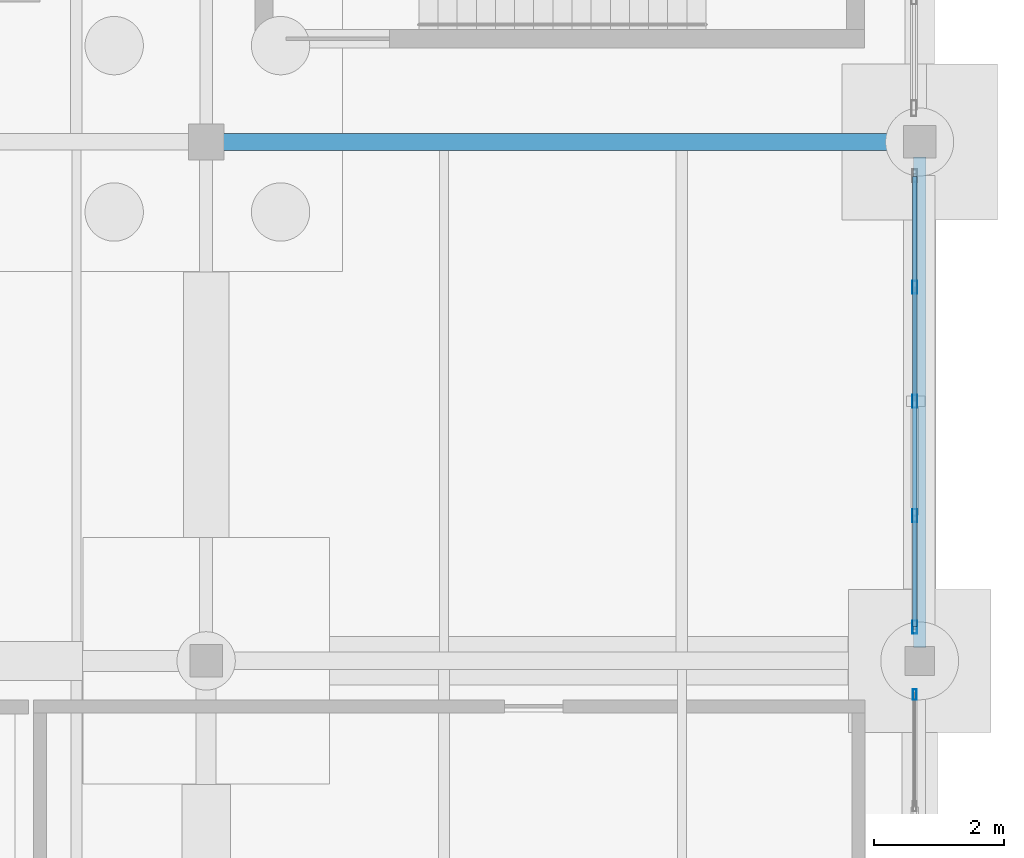
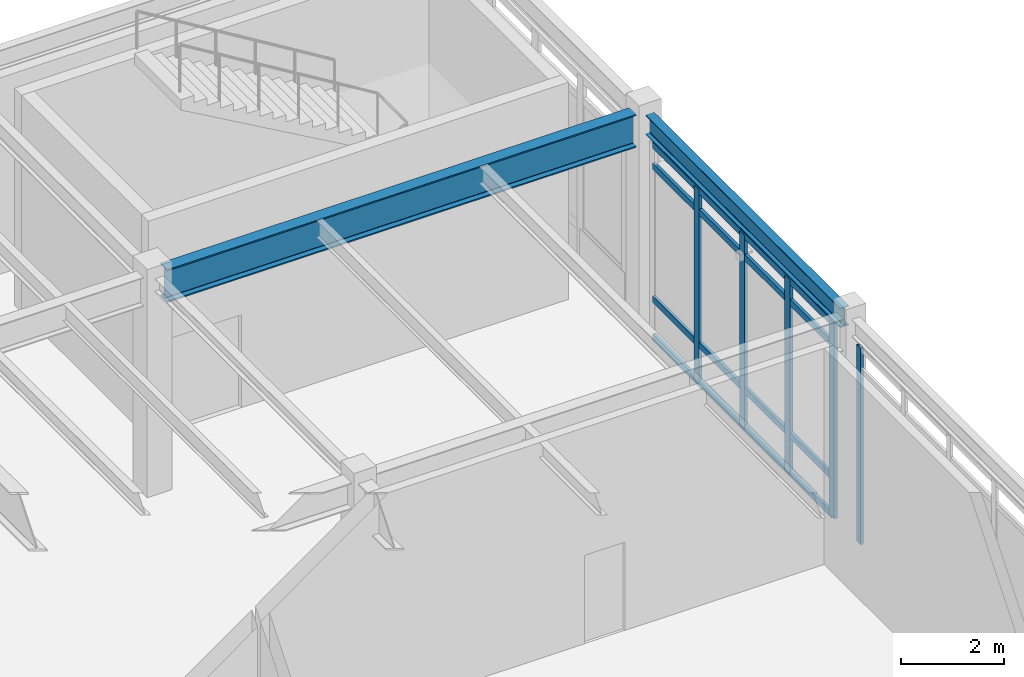
# One storey, part 136 of 203: 9 members, 2 beams, 2 elements without a shape of their own.
"""IFC4 building model written with IfcOpenShell, lengths in metres."""

from ifc_helpers import new_model, si_unit, direction, frame, origin, origin_2d, place, context, subcontext, project, spatial, hollow_rectangle, i_section, extrude, material, material_profile, profile_set, type_object, element, aggregate, save


model = new_model("IFC4")

# Units and contexts
model_context = context("Model", 3, precision=1e-05, world=origin(), true_north=direction((0.0, 1.0)))
body_context = subcontext(model_context, "Body", "Model", "MODEL_VIEW")
ifc_project = project(units=[si_unit("LENGTHUNIT", "METRE"), si_unit("AREAUNIT", "SQUARE_METRE"), si_unit("VOLUMEUNIT", "CUBIC_METRE"), si_unit("PLANEANGLEUNIT", "RADIAN"), si_unit("MASSUNIT", "GRAM", prefix="KILO"), si_unit("THERMODYNAMICTEMPERATUREUNIT", "KELVIN"), si_unit("POWERUNIT", "WATT")], contexts=[model_context])

# Site, building, storey
site_placement = place(None, origin())
site = spatial("IfcSite", under=ifc_project, at=site_placement, CompositionType="ELEMENT")
building_placement = place(site_placement, origin())
building = spatial("IfcBuilding", under=site, at=building_placement, Name="Tepalcoro Natatorium and Aquatics Centre", CompositionType="ELEMENT")
storey_placement = place(building_placement, origin())
storey = spatial("IfcBuildingStorey", under=building, at=storey_placement, Name="L00", CompositionType="ELEMENT", Elevation=0.0)

# Beam
ifc_material_1 = material(Name="Steel ASTM A992 Grade 50 (Fy 345 MPa)", Category="steel")
ifc_material_profile_1 = material_profile(ifc_material_1, i_section(OverallWidth=0.26708984375, OverallDepth=0.780029296875, WebThickness=0.01708984375, FlangeThickness=0.030029296875, FilletRadius=0.013916015625, at=origin_2d()), Name="W30X148")
ifc_profile_set_1 = profile_set([ifc_material_profile_1], Name="Steel ASTM A992 Grade 50 (Fy 345 MPa)")
beam_type_1 = type_object("IfcBeamType", Name="BM_W30x148", PredefinedType="BEAM", material=ifc_profile_set_1)
beam_1_placement = place(storey_placement, frame((165.260009765625, 110.0, 4.735107421875), z_axis=(1.0, 0.0, 0.0), x_axis=(0.0, 1.0, 0.0)))
element("IfcBeam", 1, at=beam_1_placement, inside=storey, type_object=beam_type_1, Name="V5 L00 Grid Girder X", PredefinedType="BEAM", context=body_context, shape_type="SweptSolid", body=[
    extrude(i_section(OverallWidth=0.26708984375, OverallDepth=0.780029296875, WebThickness=0.01708984375, FlangeThickness=0.030029296875, FilletRadius=0.013916015625, at=origin_2d()), origin(), (0.0, 0.0, 1.0), 10.5048828125),
])

# Curtain wall, member
ifc_material_2 = material(Name="Bronze-Anodised Extruded Aluminium Alloy EN AW-6063 T6", Category="aluminium")
curtain_wall_type_1 = type_object("IfcCurtainWallType", Name="CW_LEAN_T2_NS", PredefinedType="USERDEFINED", material=ifc_material_2)
curtain_wall_1_placement = place(storey_placement, origin())
curtain_wall_1 = element("IfcCurtainWall", 2, at=curtain_wall_1_placement, inside=storey, type_object=curtain_wall_type_1, Name="V5 L00 E Unitised Curtain Wall Bay 2", ObjectType="FACETED SOLAR GLAZING", PredefinedType="USERDEFINED")
ifc_material_profile_2 = material_profile(ifc_material_2, hollow_rectangle(XDim=0.06005859375, YDim=0.159912109375, WallThickness=0.00390625, at=origin_2d()), Name="AL60X160X4")
ifc_profile_set_2 = profile_set([ifc_material_profile_2], Name="Bronze-Anodised Extruded Aluminium Alloy EN AW-6063 T6")
member_type_1 = type_object("IfcMemberType", Name="CW_MUL_60x160", PredefinedType="MULLION", material=ifc_profile_set_2)
member_1_placement = place(storey_placement, frame((175.923828125, 101.47998046875, 0.02001953125), z_axis=(0.0, 0.0, 1.0), x_axis=(1.0, 0.0, 0.0)))
member_1 = element("IfcMember", 3, at=member_1_placement, type_object=member_type_1, Name="CW_LEAN_T2_NS Curtain Wall Mullion", PredefinedType="MULLION", context=body_context, shape_type="SweptSolid", body=[
    extrude(hollow_rectangle(XDim=0.06005859375, YDim=0.159912109375, WallThickness=0.00390625, at=origin_2d()), origin(), (0.0, 0.0, 1.0), 4.656982421875),
])
aggregate(curtain_wall_1, [member_1])

# Curtain wall, members
curtain_wall_type_2 = type_object("IfcCurtainWallType", Name="CW_LEAN_T2_EW", PredefinedType="USERDEFINED", material=ifc_material_2)
curtain_wall_2_placement = place(storey_placement, origin())
curtain_wall_2 = element("IfcCurtainWall", 4, at=curtain_wall_2_placement, inside=storey, type_object=curtain_wall_type_2, Name="V5 L00 E Unitised Curtain Wall Bay 3", ObjectType="FACETED SOLAR GLAZING", PredefinedType="USERDEFINED")
ifc_material_profile_3 = material_profile(ifc_material_2, hollow_rectangle(XDim=0.070068359375, YDim=0.199951171875, WallThickness=0.0048828125, at=origin_2d()), Name="AL70X200X5")
ifc_profile_set_3 = profile_set([ifc_material_profile_3], Name="Bronze-Anodised Extruded Aluminium Alloy EN AW-6063 T6")
member_type_2 = type_object("IfcMemberType", Name="CW_MUL_70x200", PredefinedType="MULLION", material=ifc_profile_set_3)
member_2_placement = place(storey_placement, frame((175.923828125, 102.52001953125, 0.02001953125), z_axis=(0.0, 0.0, 1.0), x_axis=(1.0, 0.0, 0.0)))
member_2 = element("IfcMember", 5, at=member_2_placement, type_object=member_type_2, Name="CW_LEAN_T2_EW Curtain Wall Mullion", PredefinedType="MULLION", context=body_context, shape_type="SweptSolid", body=[
    extrude(hollow_rectangle(XDim=0.070068359375, YDim=0.199951171875, WallThickness=0.0048828125, at=origin_2d()), origin(), (0.0, 0.0, 1.0), 4.60986328125),
])
member_3_placement = place(storey_placement, frame((175.923828125, 104.239990234375, 0.02001953125), z_axis=(0.0, 0.0, 1.0), x_axis=(1.0, 0.0, 0.0)))
member_3 = element("IfcMember", 6, at=member_3_placement, type_object=member_type_2, Name="CW_LEAN_T2_EW Curtain Wall Mullion", PredefinedType="MULLION", context=body_context, shape_type="SweptSolid", body=[
    extrude(hollow_rectangle(XDim=0.070068359375, YDim=0.199951171875, WallThickness=0.0048828125, at=origin_2d()), origin(), (0.0, 0.0, 1.0), 4.60986328125),
])
member_4_placement = place(storey_placement, frame((175.923828125, 106.0, 0.02001953125), z_axis=(0.0, 0.0, 1.0), x_axis=(1.0, 0.0, 0.0)))
member_4 = element("IfcMember", 7, at=member_4_placement, type_object=member_type_2, Name="CW_LEAN_T2_EW Curtain Wall Mullion", PredefinedType="MULLION", context=body_context, shape_type="SweptSolid", body=[
    extrude(hollow_rectangle(XDim=0.070068359375, YDim=0.199951171875, WallThickness=0.0048828125, at=origin_2d()), origin(), (0.0, 0.0, 1.0), 4.60986328125),
])
member_5_placement = place(storey_placement, frame((175.923828125, 107.760009765625, 0.02001953125), z_axis=(0.0, 0.0, 1.0), x_axis=(1.0, 0.0, 0.0)))
member_5 = element("IfcMember", 8, at=member_5_placement, type_object=member_type_2, Name="CW_LEAN_T2_EW Curtain Wall Mullion", PredefinedType="MULLION", context=body_context, shape_type="SweptSolid", body=[
    extrude(hollow_rectangle(XDim=0.070068359375, YDim=0.199951171875, WallThickness=0.0048828125, at=origin_2d()), origin(), (0.0, 0.0, 1.0), 4.60986328125),
])
ifc_material_profile_4 = material_profile(ifc_material_2, hollow_rectangle(XDim=0.070068359375, YDim=0.14990234375, WallThickness=0.00390625, at=origin_2d()), Name="AL70X150X4")
ifc_profile_set_4 = profile_set([ifc_material_profile_4], Name="Bronze-Anodised Extruded Aluminium Alloy EN AW-6063 T6")
member_type_3 = type_object("IfcMemberType", Name="CW_TRN_70x150", PredefinedType="USERDEFINED", material=ifc_profile_set_4)
member_6_placement = place(storey_placement, frame((175.923828125, 102.530029296875, 0.050048828125), z_axis=(0.0, 1.0, 0.0), x_axis=(-1.0, 0.0, 0.0)))
member_6 = element("IfcMember", 9, at=member_6_placement, type_object=member_type_3, Name="CW_LEAN_T2_EW Curtain Wall Transom", ObjectType="TRANSOM", PredefinedType="USERDEFINED", context=body_context, shape_type="SweptSolid", body=[
    extrude(hollow_rectangle(XDim=0.070068359375, YDim=0.14990234375, WallThickness=0.00390625, at=origin_2d()), origin(), (0.0, 0.0, 1.0), 6.93994140625),
])
member_7_placement = place(storey_placement, frame((175.923828125, 102.530029296875, 0.949951171875), z_axis=(0.0, 1.0, 0.0), x_axis=(-1.0, 0.0, 0.0)))
member_7 = element("IfcMember", 10, at=member_7_placement, type_object=member_type_3, Name="CW_LEAN_T2_EW Curtain Wall Transom", ObjectType="TRANSOM", PredefinedType="USERDEFINED", context=body_context, shape_type="SweptSolid", body=[
    extrude(hollow_rectangle(XDim=0.070068359375, YDim=0.14990234375, WallThickness=0.00390625, at=origin_2d()), origin(), (0.0, 0.0, 1.0), 6.93994140625),
])
member_8_placement = place(storey_placement, frame((175.923828125, 102.530029296875, 4.10009765625), z_axis=(0.0, 1.0, 0.0), x_axis=(-1.0, 0.0, 0.0)))
member_8 = element("IfcMember", 11, at=member_8_placement, type_object=member_type_3, Name="CW_LEAN_T2_EW Curtain Wall Transom", ObjectType="TRANSOM", PredefinedType="USERDEFINED", context=body_context, shape_type="SweptSolid", body=[
    extrude(hollow_rectangle(XDim=0.070068359375, YDim=0.14990234375, WallThickness=0.00390625, at=origin_2d()), origin(), (0.0, 0.0, 1.0), 6.93994140625),
])
member_9_placement = place(storey_placement, frame((175.923828125, 102.530029296875, 4.60009765625), z_axis=(0.0, 1.0, 0.0), x_axis=(-1.0, 0.0, 0.0)))
member_9 = element("IfcMember", 12, at=member_9_placement, type_object=member_type_3, Name="CW_LEAN_T2_EW Curtain Wall Transom", ObjectType="TRANSOM", PredefinedType="USERDEFINED", context=body_context, shape_type="SweptSolid", body=[
    extrude(hollow_rectangle(XDim=0.070068359375, YDim=0.14990234375, WallThickness=0.00390625, at=origin_2d()), origin(), (0.0, 0.0, 1.0), 6.93994140625),
])
aggregate(curtain_wall_2, [member_2, member_3, member_4, member_5, member_6, member_7, member_8, member_9])

# Beam
ifc_material_profile_5 = material_profile(ifc_material_1, i_section(OverallWidth=0.19091796875, OverallDepth=0.4599609375, WebThickness=0.010009765625, FlangeThickness=0.01611328125, FilletRadius=0.013916015625, at=origin_2d()), Name="W18X55")
ifc_profile_set_5 = profile_set([ifc_material_profile_5], Name="Steel ASTM A992 Grade 50 (Fy 345 MPa)")
beam_type_2 = type_object("IfcBeamType", Name="SP_W18x55", PredefinedType="SPANDREL", material=ifc_profile_set_5)
beam_2_placement = place(storey_placement, frame((176.0, 102.2099609375, 4.89501953125), z_axis=(0.0, 1.0, 0.0), x_axis=(-1.0, 0.0, 0.0)))
element("IfcBeam", 13, at=beam_2_placement, inside=storey, type_object=beam_type_2, Name="V5 L00 Grid Girder Y", PredefinedType="SPANDREL", context=body_context, shape_type="SweptSolid", body=[
    extrude(i_section(OverallWidth=0.19091796875, OverallDepth=0.4599609375, WebThickness=0.010009765625, FlangeThickness=0.01611328125, FilletRadius=0.013916015625, at=origin_2d()), origin(), (0.0, 0.0, 1.0), 7.554931640625),
])

save(model, "model.ifc")
